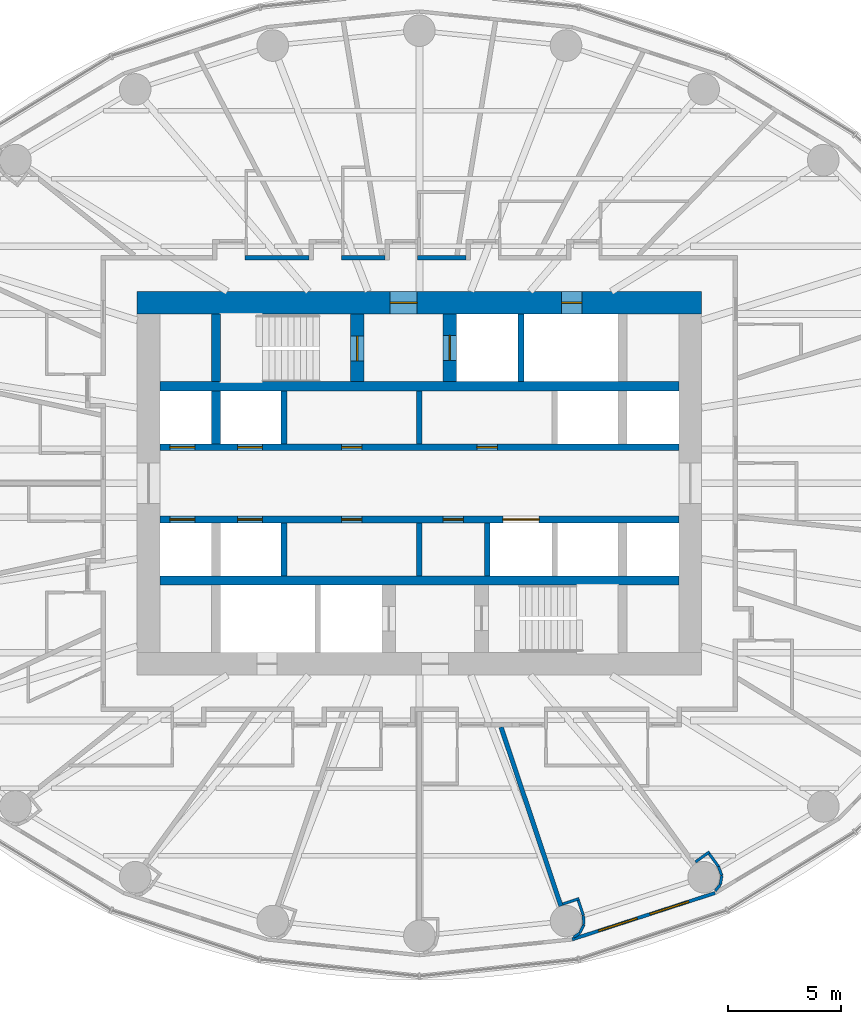
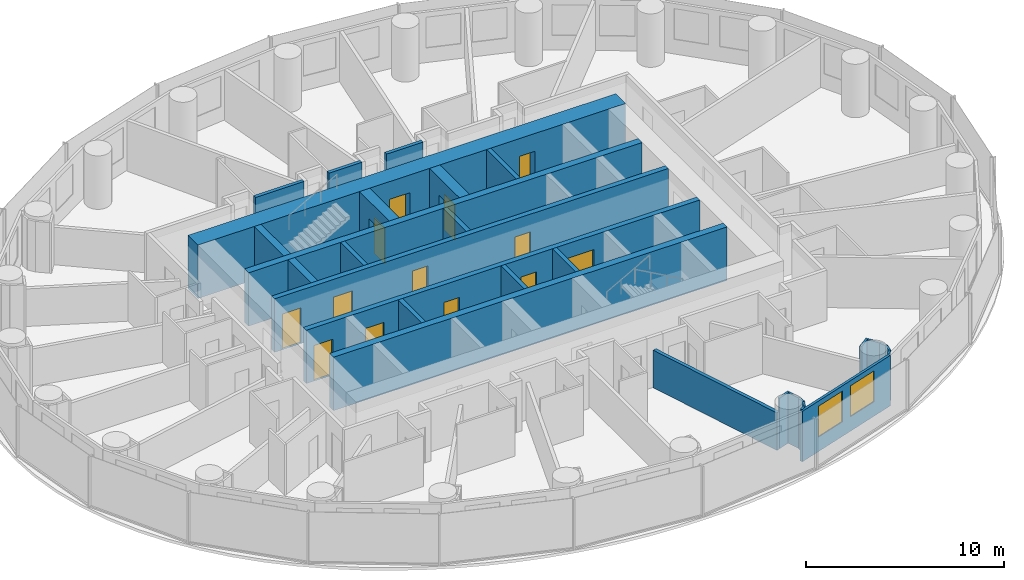
# One storey, part 9 of 14: 30 walls, 13 doors, 2 windows, 15 openings.
"""IFC4 building model written with IfcOpenShell, lengths in metres."""

from ifc_helpers import new_model, si_unit, direction, frame, frame_2d, origin, place, context, subcontext, project, spatial, rectangle, extrude, material, layer, layer_set, type_object, element, fill, save


model = new_model("IFC4")

# Units and contexts
model_context = context("Model", 3, precision=1e-05, world=origin(), true_north=direction((0.0, 1.0)))
body_context = subcontext(model_context, "Body", "Model", "MODEL_VIEW")
ifc_project = project(units=[si_unit("LENGTHUNIT", "METRE"), si_unit("AREAUNIT", "SQUARE_METRE"), si_unit("VOLUMEUNIT", "CUBIC_METRE"), si_unit("PLANEANGLEUNIT", "RADIAN"), si_unit("MASSUNIT", "GRAM", prefix="KILO")], contexts=[model_context])

# Site, building, storey
site_placement = place(None, origin())
site = spatial("IfcSite", under=ifc_project, at=site_placement, CompositionType="ELEMENT")
building_placement = place(site_placement, origin())
building = spatial("IfcBuilding", under=site, at=building_placement, Name="Hankou Lantern Tower", CompositionType="ELEMENT")
storey_placement = place(building_placement, frame((0.0, 0.0, 57.300048828125)))
storey = spatial("IfcBuildingStorey", under=building, at=storey_placement, Name="L13", CompositionType="ELEMENT", Elevation=57.300048828125)

# Wall, openings, doors
ifc_material_1 = material(Name="Concrete C60", Category="concrete")
ifc_layer_1 = layer(ifc_material_1, 1.0)
ifc_layer_set_1 = layer_set([ifc_layer_1], Name="Concrete C60")
wall_type_1 = type_object("IfcWallType", Name="CW1 CORE WALL 1000", PredefinedType="SHEAR", material=ifc_layer_set_1)
wall_1_placement = place(storey_placement, frame((-12.5, 8.0, 0.0), z_axis=(0.0, 0.0, 1.0), x_axis=(1.0, 0.0, 0.0)))
wall_1 = element("IfcWall", 1, at=wall_1_placement, inside=storey, type_object=wall_type_1, Name="Core wall north L13", PredefinedType="SHEAR", context=body_context, shape_type="SweptSolid", body=[
    extrude(rectangle(XDim=25.0, YDim=1.0, at=frame_2d((12.5, 0.0))), origin(), (0.0, 0.0, 1.0), 3.300048828125),
])
opening_1_placement = place(wall_1_placement, frame((11.199951171875, 0.0, 0.0)))
opening_1 = element("IfcOpeningElement", 2, at=opening_1_placement, cuts=wall_1, Name="Opening D5", PredefinedType="OPENING", context=body_context, shape_type="SweptSolid", body=[
    extrude(rectangle(XDim=1.199951171875, YDim=2.199951171875, at=frame_2d((0.60009765625, 1.10009765625))), frame((0.0, 0.510009765625, 0.0), z_axis=(0.0, -1.0, 0.0), x_axis=(1.0, 0.0, 0.0)), (0.0, 0.0, 1.0), 1.02001953125),
])
opening_2_placement = place(wall_1_placement, frame((18.800048828125, 0.0, 0.0)))
opening_2 = element("IfcOpeningElement", 3, at=opening_2_placement, cuts=wall_1, Name="Opening D7", PredefinedType="OPENING", context=body_context, shape_type="SweptSolid", body=[
    extrude(rectangle(XDim=0.89990234375, YDim=2.199951171875, at=frame_2d((0.449951171875, 1.10009765625))), frame((0.0, 0.510009765625, 0.0), z_axis=(0.0, -1.0, 0.0), x_axis=(1.0, 0.0, 0.0)), (0.0, 0.0, 1.0), 1.02001953125),
])
ifc_material_2 = material(Name="Steel door leaf", Category="steel")
door_type_1 = type_object("IfcDoorType", Name="D5 STAIR LOBBY DOOR 1200X2200", OperationType="SINGLE_SWING_LEFT", PredefinedType="DOOR", material=ifc_material_2)
door_1_placement = place(opening_1_placement, origin())
door_1 = element("IfcDoor", 4, at=door_1_placement, inside=storey, type_object=door_type_1, Name="Stair A lobby door", OperationType="SINGLE_SWING_LEFT", OverallHeight=2.199951171875, OverallWidth=1.199951171875, PredefinedType="DOOR", context=body_context, shape_type="SweptSolid", body=[
    extrude(rectangle(XDim=1.199951171875, YDim=2.199951171875, at=frame_2d((0.60009765625, 1.10009765625))), frame((0.0, 0.02490234375, 0.0), z_axis=(0.0, -1.0, 0.0), x_axis=(1.0, 0.0, 0.0)), (0.0, 0.0, 1.0), 0.050048828125),
])
fill(opening_1, door_1)
ifc_material_3 = material(Name="Steel door leaf", Category="steel")
door_type_2 = type_object("IfcDoorType", Name="D7 RISER DOOR 900X2200", OperationType="SINGLE_SWING_LEFT", PredefinedType="DOOR", material=ifc_material_3)
door_2_placement = place(opening_2_placement, origin())
door_2 = element("IfcDoor", 5, at=door_2_placement, inside=storey, type_object=door_type_2, Name="Riser N1 door", OperationType="SINGLE_SWING_RIGHT", OverallHeight=2.199951171875, OverallWidth=0.89990234375, PredefinedType="DOOR", context=body_context, shape_type="SweptSolid", body=[
    extrude(rectangle(XDim=0.89990234375, YDim=2.199951171875, at=frame_2d((0.449951171875, 1.10009765625))), frame((0.0, 0.02490234375, 0.0), z_axis=(0.0, -1.0, 0.0), x_axis=(1.0, 0.0, 0.0)), (0.0, 0.0, 1.0), 0.050048828125),
])
fill(opening_2, door_2)

# Walls
ifc_material_4 = material(Name="Concrete C60", Category="concrete")
ifc_layer_2 = layer(ifc_material_4, 0.39990234375)
ifc_layer_set_2 = layer_set([ifc_layer_2], Name="Concrete C60")
wall_type_2 = type_object("IfcWallType", Name="CW4 CORE CROSS WALL 400", PredefinedType="SHEAR", material=ifc_layer_set_2)
for number, where, z_axis, x_axis, name in (
    (6, (-11.5, 4.300048828125, 0.0), (0.0, 0.0, 1.0), (1.0, 0.0, 0.0), "Core band wall north L13"),
    (7, (-11.5, -4.300048828125, 0.0), (0.0, 0.0, 1.0), (1.0, 0.0, 0.0), "Core band wall south L13"),
):
    element("IfcWall", number, at=place(storey_placement, frame(where, z_axis=z_axis, x_axis=x_axis)), inside=storey, type_object=wall_type_2, Name=name, PredefinedType="SHEAR", context=body_context, shape_type="SweptSolid", body=[
        extrude(rectangle(XDim=23.0, YDim=0.39990234375, at=frame_2d((11.5, 0.0))), origin(), (0.0, 0.0, 1.0), 3.300048828125),
    ])
wall_2_placement = place(storey_placement, frame((-9.0, 4.5, 0.0), z_axis=(0.0, 0.0, 1.0), x_axis=(0.0, 1.0, 0.0)))
element("IfcWall", 8, at=wall_2_placement, inside=storey, type_object=wall_type_2, Name="Core strip wall L13", PredefinedType="SHEAR", context=body_context, shape_type="SweptSolid", body=[
    extrude(rectangle(XDim=3.0, YDim=0.39990234375, at=frame_2d((1.5, 0.0))), origin(), (0.0, 0.0, 1.0), 3.300048828125),
])
wall_3_placement = place(storey_placement, frame((-9.0, 1.75, 0.0), z_axis=(0.0, 0.0, 1.0), x_axis=(0.0, 1.0, 0.0)))
element("IfcWall", 9, at=wall_3_placement, inside=storey, type_object=wall_type_2, Name="Core strip wall L13", PredefinedType="SHEAR", context=body_context, shape_type="SweptSolid", body=[
    extrude(rectangle(XDim=2.35009765625, YDim=0.39990234375, at=frame_2d((1.175048828125, 0.0))), origin(), (0.0, 0.0, 1.0), 3.300048828125),
])

# Wall, openings, doors
ifc_material_5 = material(Name="Concrete C60", Category="concrete")
ifc_layer_3 = layer(ifc_material_5, 0.300048828125)
ifc_layer_set_3 = layer_set([ifc_layer_3], Name="Concrete C60")
wall_type_3 = type_object("IfcWallType", Name="CW5 LIFT LOBBY WALL 300", PredefinedType="SHEAR", material=ifc_layer_set_3)
wall_4_placement = place(storey_placement, frame((-11.5, 1.60009765625, 0.0), z_axis=(0.0, 0.0, 1.0), x_axis=(1.0, 0.0, 0.0)))
wall_4 = element("IfcWall", 10, at=wall_4_placement, inside=storey, type_object=wall_type_3, Name="Lift lobby wall north L13", PredefinedType="SHEAR", context=body_context, shape_type="SweptSolid", body=[
    extrude(rectangle(XDim=23.0, YDim=0.300048828125, at=frame_2d((11.5, 0.0))), origin(), (0.0, 0.0, 1.0), 3.300048828125),
])
opening_3_placement = place(wall_4_placement, frame((0.449951171875, 0.0, 0.0)))
opening_3 = element("IfcOpeningElement", 11, at=opening_3_placement, cuts=wall_4, Name="Opening LD1", PredefinedType="OPENING", context=body_context, shape_type="SweptSolid", body=[
    extrude(rectangle(XDim=1.10009765625, YDim=2.199951171875, at=frame_2d((0.550048828125, 1.10009765625))), frame((0.0, 0.159912109375, 0.0), z_axis=(0.0, -1.0, 0.0), x_axis=(1.0, 0.0, 0.0)), (0.0, 0.0, 1.0), 0.320068359375),
])
opening_4_placement = place(wall_4_placement, frame((3.449951171875, 0.0, 0.0)))
opening_4 = element("IfcOpeningElement", 12, at=opening_4_placement, cuts=wall_4, Name="Opening LD1", PredefinedType="OPENING", context=body_context, shape_type="SweptSolid", body=[
    extrude(rectangle(XDim=1.10009765625, YDim=2.199951171875, at=frame_2d((0.550048828125, 1.10009765625))), frame((0.0, 0.159912109375, 0.0), z_axis=(0.0, -1.0, 0.0), x_axis=(1.0, 0.0, 0.0)), (0.0, 0.0, 1.0), 0.320068359375),
])
opening_5_placement = place(wall_4_placement, frame((8.050048828125, 0.0, 0.0)))
opening_5 = element("IfcOpeningElement", 13, at=opening_5_placement, cuts=wall_4, Name="Opening D30", PredefinedType="OPENING", context=body_context, shape_type="SweptSolid", body=[
    extrude(rectangle(XDim=0.89990234375, YDim=2.199951171875, at=frame_2d((0.449951171875, 1.10009765625))), frame((0.0, 0.159912109375, 0.0), z_axis=(0.0, -1.0, 0.0), x_axis=(1.0, 0.0, 0.0)), (0.0, 0.0, 1.0), 0.320068359375),
])
opening_6_placement = place(wall_4_placement, frame((14.050048828125, 0.0, 0.0)))
opening_6 = element("IfcOpeningElement", 14, at=opening_6_placement, cuts=wall_4, Name="Opening D30", PredefinedType="OPENING", context=body_context, shape_type="SweptSolid", body=[
    extrude(rectangle(XDim=0.89990234375, YDim=2.199951171875, at=frame_2d((0.449951171875, 1.10009765625))), frame((0.0, 0.159912109375, 0.0), z_axis=(0.0, -1.0, 0.0), x_axis=(1.0, 0.0, 0.0)), (0.0, 0.0, 1.0), 0.320068359375),
])
ifc_material_6 = material(Name="Steel door leaf", Category="steel")
door_type_3 = type_object("IfcDoorType", Name="D30 CORE ROOM DOOR 900X2200", OperationType="SINGLE_SWING_LEFT", PredefinedType="DOOR", material=ifc_material_6)
door_3_placement = place(opening_5_placement, origin())
door_3 = element("IfcDoor", 15, at=door_3_placement, inside=storey, type_object=door_type_3, Name="Cleaner's store door", OperationType="SINGLE_SWING_LEFT", OverallHeight=2.199951171875, OverallWidth=0.89990234375, PredefinedType="DOOR", context=body_context, shape_type="SweptSolid", body=[
    extrude(rectangle(XDim=0.89990234375, YDim=2.199951171875, at=frame_2d((0.449951171875, 1.10009765625))), frame((0.0, 0.02490234375, 0.0), z_axis=(0.0, -1.0, 0.0), x_axis=(1.0, 0.0, 0.0)), (0.0, 0.0, 1.0), 0.050048828125),
])
fill(opening_5, door_3)
door_4_placement = place(opening_6_placement, origin())
door_4 = element("IfcDoor", 16, at=door_4_placement, inside=storey, type_object=door_type_3, Name="Minibar store door", OperationType="SINGLE_SWING_RIGHT", OverallHeight=2.199951171875, OverallWidth=0.89990234375, PredefinedType="DOOR", context=body_context, shape_type="SweptSolid", body=[
    extrude(rectangle(XDim=0.89990234375, YDim=2.199951171875, at=frame_2d((0.449951171875, 1.10009765625))), frame((0.0, 0.02490234375, 0.0), z_axis=(0.0, -1.0, 0.0), x_axis=(1.0, 0.0, 0.0)), (0.0, 0.0, 1.0), 0.050048828125),
])
fill(opening_6, door_4)
ifc_material_7 = material(Name="Steel door leaf", Category="steel")
door_type_4 = type_object("IfcDoorType", Name="LD1 LIFT LANDING DOOR 1100X2200", OperationType="DOUBLE_DOOR_SLIDING", PredefinedType="DOOR", material=ifc_material_7)
door_5_placement = place(opening_3_placement, origin())
door_5 = element("IfcDoor", 17, at=door_5_placement, inside=storey, type_object=door_type_4, Name="Lift L1 landing door", OperationType="DOUBLE_DOOR_SLIDING", OverallHeight=2.199951171875, OverallWidth=1.10009765625, PredefinedType="DOOR", context=body_context, shape_type="SweptSolid", body=[
    extrude(rectangle(XDim=1.10009765625, YDim=2.199951171875, at=frame_2d((0.550048828125, 1.10009765625))), frame((0.0, 0.02490234375, 0.0), z_axis=(0.0, -1.0, 0.0), x_axis=(1.0, 0.0, 0.0)), (0.0, 0.0, 1.0), 0.050048828125),
])
fill(opening_3, door_5)
door_6_placement = place(opening_4_placement, origin())
door_6 = element("IfcDoor", 18, at=door_6_placement, inside=storey, type_object=door_type_4, Name="Lift L2 landing door", OperationType="DOUBLE_DOOR_SLIDING", OverallHeight=2.199951171875, OverallWidth=1.10009765625, PredefinedType="DOOR", context=body_context, shape_type="SweptSolid", body=[
    extrude(rectangle(XDim=1.10009765625, YDim=2.199951171875, at=frame_2d((0.550048828125, 1.10009765625))), frame((0.0, 0.02490234375, 0.0), z_axis=(0.0, -1.0, 0.0), x_axis=(1.0, 0.0, 0.0)), (0.0, 0.0, 1.0), 0.050048828125),
])
fill(opening_4, door_6)

wall_5_placement = place(storey_placement, frame((-11.5, -1.60009765625, 0.0), z_axis=(0.0, 0.0, 1.0), x_axis=(1.0, 0.0, 0.0)))
wall_5 = element("IfcWall", 19, at=wall_5_placement, inside=storey, type_object=wall_type_3, Name="Lift lobby wall south L13", PredefinedType="SHEAR", context=body_context, shape_type="SweptSolid", body=[
    extrude(rectangle(XDim=23.0, YDim=0.300048828125, at=frame_2d((11.5, 0.0))), origin(), (0.0, 0.0, 1.0), 3.300048828125),
])
opening_7_placement = place(wall_5_placement, frame((0.449951171875, 0.0, 0.0)))
opening_7 = element("IfcOpeningElement", 20, at=opening_7_placement, cuts=wall_5, Name="Opening LD1", PredefinedType="OPENING", context=body_context, shape_type="SweptSolid", body=[
    extrude(rectangle(XDim=1.10009765625, YDim=2.199951171875, at=frame_2d((0.550048828125, 1.10009765625))), frame((0.0, 0.159912109375, 0.0), z_axis=(0.0, -1.0, 0.0), x_axis=(1.0, 0.0, 0.0)), (0.0, 0.0, 1.0), 0.320068359375),
])
opening_8_placement = place(wall_5_placement, frame((3.449951171875, 0.0, 0.0)))
opening_8 = element("IfcOpeningElement", 21, at=opening_8_placement, cuts=wall_5, Name="Opening LD1", PredefinedType="OPENING", context=body_context, shape_type="SweptSolid", body=[
    extrude(rectangle(XDim=1.10009765625, YDim=2.199951171875, at=frame_2d((0.550048828125, 1.10009765625))), frame((0.0, 0.159912109375, 0.0), z_axis=(0.0, -1.0, 0.0), x_axis=(1.0, 0.0, 0.0)), (0.0, 0.0, 1.0), 0.320068359375),
])
opening_9_placement = place(wall_5_placement, frame((15.199951171875, 0.0, 0.0)))
opening_9 = element("IfcOpeningElement", 22, at=opening_9_placement, cuts=wall_5, Name="Opening LD4", PredefinedType="OPENING", context=body_context, shape_type="SweptSolid", body=[
    extrude(rectangle(XDim=1.60009765625, YDim=2.39990234375, at=frame_2d((0.800048828125, 1.199951171875))), frame((0.0, 0.159912109375, 0.0), z_axis=(0.0, -1.0, 0.0), x_axis=(1.0, 0.0, 0.0)), (0.0, 0.0, 1.0), 0.320068359375),
])
opening_10_placement = place(wall_5_placement, frame((8.050048828125, 0.0, 0.0)))
opening_10 = element("IfcOpeningElement", 23, at=opening_10_placement, cuts=wall_5, Name="Opening D30", PredefinedType="OPENING", context=body_context, shape_type="SweptSolid", body=[
    extrude(rectangle(XDim=0.89990234375, YDim=2.199951171875, at=frame_2d((0.449951171875, 1.10009765625))), frame((0.0, 0.159912109375, 0.0), z_axis=(0.0, -1.0, 0.0), x_axis=(1.0, 0.0, 0.0)), (0.0, 0.0, 1.0), 0.320068359375),
])
opening_11_placement = place(wall_5_placement, frame((12.550048828125, 0.0, 0.0)))
opening_11 = element("IfcOpeningElement", 24, at=opening_11_placement, cuts=wall_5, Name="Opening D30", PredefinedType="OPENING", context=body_context, shape_type="SweptSolid", body=[
    extrude(rectangle(XDim=0.89990234375, YDim=2.199951171875, at=frame_2d((0.449951171875, 1.10009765625))), frame((0.0, 0.159912109375, 0.0), z_axis=(0.0, -1.0, 0.0), x_axis=(1.0, 0.0, 0.0)), (0.0, 0.0, 1.0), 0.320068359375),
])
door_7_placement = place(opening_10_placement, origin())
door_7 = element("IfcDoor", 25, at=door_7_placement, inside=storey, type_object=door_type_3, Name="Housekeeping and linen store door", OperationType="SINGLE_SWING_LEFT", OverallHeight=2.199951171875, OverallWidth=0.89990234375, PredefinedType="DOOR", context=body_context, shape_type="SweptSolid", body=[
    extrude(rectangle(XDim=0.89990234375, YDim=2.199951171875, at=frame_2d((0.449951171875, 1.10009765625))), frame((0.0, 0.02490234375, 0.0), z_axis=(0.0, -1.0, 0.0), x_axis=(1.0, 0.0, 0.0)), (0.0, 0.0, 1.0), 0.050048828125),
])
fill(opening_10, door_7)
door_8_placement = place(opening_11_placement, origin())
door_8 = element("IfcDoor", 26, at=door_8_placement, inside=storey, type_object=door_type_3, Name="Waste and recycling room door", OperationType="SINGLE_SWING_RIGHT", OverallHeight=2.199951171875, OverallWidth=0.89990234375, PredefinedType="DOOR", context=body_context, shape_type="SweptSolid", body=[
    extrude(rectangle(XDim=0.89990234375, YDim=2.199951171875, at=frame_2d((0.449951171875, 1.10009765625))), frame((0.0, 0.02490234375, 0.0), z_axis=(0.0, -1.0, 0.0), x_axis=(1.0, 0.0, 0.0)), (0.0, 0.0, 1.0), 0.050048828125),
])
fill(opening_11, door_8)
door_9_placement = place(opening_7_placement, origin())
door_9 = element("IfcDoor", 27, at=door_9_placement, inside=storey, type_object=door_type_4, Name="Lift L3 landing door", OperationType="DOUBLE_DOOR_SLIDING", OverallHeight=2.199951171875, OverallWidth=1.10009765625, PredefinedType="DOOR", context=body_context, shape_type="SweptSolid", body=[
    extrude(rectangle(XDim=1.10009765625, YDim=2.199951171875, at=frame_2d((0.550048828125, 1.10009765625))), frame((0.0, 0.02490234375, 0.0), z_axis=(0.0, -1.0, 0.0), x_axis=(1.0, 0.0, 0.0)), (0.0, 0.0, 1.0), 0.050048828125),
])
fill(opening_7, door_9)
door_10_placement = place(opening_8_placement, origin())
door_10 = element("IfcDoor", 28, at=door_10_placement, inside=storey, type_object=door_type_4, Name="Lift L4 landing door", OperationType="DOUBLE_DOOR_SLIDING", OverallHeight=2.199951171875, OverallWidth=1.10009765625, PredefinedType="DOOR", context=body_context, shape_type="SweptSolid", body=[
    extrude(rectangle(XDim=1.10009765625, YDim=2.199951171875, at=frame_2d((0.550048828125, 1.10009765625))), frame((0.0, 0.02490234375, 0.0), z_axis=(0.0, -1.0, 0.0), x_axis=(1.0, 0.0, 0.0)), (0.0, 0.0, 1.0), 0.050048828125),
])
fill(opening_8, door_10)
ifc_material_8 = material(Name="Steel door leaf", Category="steel")
door_type_5 = type_object("IfcDoorType", Name="LD4 SERVICE LIFT LANDING DOOR 1600X2400", OperationType="DOUBLE_DOOR_SLIDING", PredefinedType="DOOR", material=ifc_material_8)
door_11_placement = place(opening_9_placement, origin())
door_11 = element("IfcDoor", 29, at=door_11_placement, inside=storey, type_object=door_type_5, Name="Lift SV1 landing door", OperationType="DOUBLE_DOOR_SLIDING", OverallHeight=2.39990234375, OverallWidth=1.60009765625, PredefinedType="DOOR", context=body_context, shape_type="SweptSolid", body=[
    extrude(rectangle(XDim=1.60009765625, YDim=2.39990234375, at=frame_2d((0.800048828125, 1.199951171875))), frame((0.0, 0.02490234375, 0.0), z_axis=(0.0, -1.0, 0.0), x_axis=(1.0, 0.0, 0.0)), (0.0, 0.0, 1.0), 0.050048828125),
])
fill(opening_9, door_11)

# Wall, opening, door
ifc_material_9 = material(Name="Concrete C60", Category="concrete")
ifc_layer_4 = layer(ifc_material_9, 0.60009765625)
ifc_layer_set_4 = layer_set([ifc_layer_4], Name="Concrete C60")
wall_type_4 = type_object("IfcWallType", Name="CW6 STAIR AND SHAFT WALL 600", PredefinedType="SHEAR", material=ifc_layer_set_4)
wall_6_placement = place(storey_placement, frame((-2.75, 4.5, 0.0), z_axis=(0.0, 0.0, 1.0), x_axis=(0.0, 1.0, 0.0)))
wall_6 = element("IfcWall", 30, at=wall_6_placement, inside=storey, type_object=wall_type_4, Name="Stair wall L13", PredefinedType="SHEAR", context=body_context, shape_type="SweptSolid", body=[
    extrude(rectangle(XDim=3.0, YDim=0.60009765625, at=frame_2d((1.5, 0.0))), origin(), (0.0, 0.0, 1.0), 3.300048828125),
])
opening_12_placement = place(wall_6_placement, frame((0.925048828125, 0.0, 0.0)))
opening_12 = element("IfcOpeningElement", 31, at=opening_12_placement, cuts=wall_6, Name="Opening D4", PredefinedType="OPENING", context=body_context, shape_type="SweptSolid", body=[
    extrude(rectangle(XDim=1.10009765625, YDim=2.199951171875, at=frame_2d((0.550048828125, 1.10009765625))), frame((0.0, 0.31005859375, 0.0), z_axis=(0.0, -1.0, 0.0), x_axis=(1.0, 0.0, 0.0)), (0.0, 0.0, 1.0), 0.6201171875),
])
ifc_material_10 = material(Name="Steel door leaf", Category="steel")
door_type_6 = type_object("IfcDoorType", Name="D4 STAIR DOOR 1100X2200", OperationType="SINGLE_SWING_LEFT", PredefinedType="DOOR", material=ifc_material_10)
door_12_placement = place(opening_12_placement, origin())
door_12 = element("IfcDoor", 32, at=door_12_placement, inside=storey, type_object=door_type_6, Name="Stair A door", OperationType="SINGLE_SWING_LEFT", OverallHeight=2.199951171875, OverallWidth=1.10009765625, PredefinedType="DOOR", context=body_context, shape_type="SweptSolid", body=[
    extrude(rectangle(XDim=1.10009765625, YDim=2.199951171875, at=frame_2d((0.550048828125, 1.10009765625))), frame((0.0, 0.02490234375, 0.0), z_axis=(0.0, -1.0, 0.0), x_axis=(1.0, 0.0, 0.0)), (0.0, 0.0, 1.0), 0.050048828125),
])
fill(opening_12, door_12)

wall_7_placement = place(storey_placement, frame((1.35009765625, 4.5, 0.0), z_axis=(0.0, 0.0, 1.0), x_axis=(0.0, 1.0, 0.0)))
wall_7 = element("IfcWall", 33, at=wall_7_placement, inside=storey, type_object=wall_type_4, Name="Firefighting lift shaft wall L13", PredefinedType="SHEAR", context=body_context, shape_type="SweptSolid", body=[
    extrude(rectangle(XDim=3.0, YDim=0.60009765625, at=frame_2d((1.5, 0.0))), origin(), (0.0, 0.0, 1.0), 3.300048828125),
])
opening_13_placement = place(wall_7_placement, frame((0.949951171875, 0.0, 0.0)))
opening_13 = element("IfcOpeningElement", 34, at=opening_13_placement, cuts=wall_7, Name="Opening LD2", PredefinedType="OPENING", context=body_context, shape_type="SweptSolid", body=[
    extrude(rectangle(XDim=1.10009765625, YDim=2.199951171875, at=frame_2d((0.550048828125, 1.10009765625))), frame((0.0, 0.31005859375, 0.0), z_axis=(0.0, -1.0, 0.0), x_axis=(1.0, 0.0, 0.0)), (0.0, 0.0, 1.0), 0.6201171875),
])
ifc_material_11 = material(Name="Steel door leaf", Category="steel")
door_type_7 = type_object("IfcDoorType", Name="LD2 FIREFIGHTING LIFT LANDING DOOR 1100X2200", OperationType="DOUBLE_DOOR_SLIDING", PredefinedType="DOOR", material=ifc_material_11)
door_13_placement = place(opening_13_placement, origin())
door_13 = element("IfcDoor", 35, at=door_13_placement, inside=storey, type_object=door_type_7, Name="Firefighting lift FL1 landing door", OperationType="DOUBLE_DOOR_SLIDING", OverallHeight=2.199951171875, OverallWidth=1.10009765625, PredefinedType="DOOR", context=body_context, shape_type="SweptSolid", body=[
    extrude(rectangle(XDim=1.10009765625, YDim=2.199951171875, at=frame_2d((0.550048828125, 1.10009765625))), frame((0.0, 0.02490234375, 0.0), z_axis=(0.0, -1.0, 0.0), x_axis=(1.0, 0.0, 0.0)), (0.0, 0.0, 1.0), 0.050048828125),
])
fill(opening_13, door_13)

# Wall, openings, windows
ifc_material_12 = material(Name="Aluminium spandrel panel on steel studs", Category="steel")
ifc_layer_5 = layer(ifc_material_12, 0.14990234375)
ifc_layer_set_5 = layer_set([ifc_layer_5], Name="Aluminium spandrel panel on steel studs")
wall_type_5 = type_object("IfcWallType", Name="EW1 INNER SKIN WALL 150", PredefinedType="ELEMENTEDWALL", material=ifc_layer_set_5)
wall_8_placement = place(storey_placement, frame((6.766357421875, -20.201904296875, 0.0), z_axis=(0.0, 0.0, 1.0), x_axis=(0.951137534625, 0.308767534285, 0.0)))
wall_8 = element("IfcWall", 36, at=wall_8_placement, inside=storey, type_object=wall_type_5, Name="Inner skin R20-R21 L13", PredefinedType="ELEMENTEDWALL", context=body_context, shape_type="SweptSolid", body=[
    extrude(rectangle(XDim=6.6552734375, YDim=0.14990234375, at=frame_2d((3.32763671875, 0.0))), origin(), (0.0, 0.0, 1.0), 3.119873046875),
])
opening_14_placement = place(wall_8_placement, frame((1.2275390625, 0.0, 0.89990234375)))
opening_14 = element("IfcOpeningElement", 37, at=opening_14_placement, cuts=wall_8, Name="Opening W1", PredefinedType="OPENING", context=body_context, shape_type="SweptSolid", body=[
    extrude(rectangle(XDim=1.800048828125, YDim=1.89990234375, at=frame_2d((0.89990234375, 0.949951171875))), frame((0.0, 0.0849609375, 0.0), z_axis=(0.0, -1.0, 0.0), x_axis=(1.0, 0.0, 0.0)), (0.0, 0.0, 1.0), 0.169921875),
])
opening_15_placement = place(wall_8_placement, frame((3.627685546875, 0.0, 0.89990234375)))
opening_15 = element("IfcOpeningElement", 38, at=opening_15_placement, cuts=wall_8, Name="Opening W1", PredefinedType="OPENING", context=body_context, shape_type="SweptSolid", body=[
    extrude(rectangle(XDim=1.800048828125, YDim=1.89990234375, at=frame_2d((0.89990234375, 0.949951171875))), frame((0.0, 0.0849609375, 0.0), z_axis=(0.0, -1.0, 0.0), x_axis=(1.0, 0.0, 0.0)), (0.0, 0.0, 1.0), 0.169921875),
])
ifc_material_13 = material(Name="Aluminium framed double glazed window", Category="aluminium")
window_type = type_object("IfcWindowType", Name="W1 GUEST ROOM WINDOW 1800X1900", PartitioningType="DOUBLE_PANEL_VERTICAL", PredefinedType="WINDOW", material=ifc_material_13)
window_1_placement = place(opening_14_placement, origin())
window_1 = element("IfcWindow", 39, at=window_1_placement, inside=storey, type_object=window_type, Name="Window R20.1 L13", OverallHeight=1.89990234375, OverallWidth=1.800048828125, PartitioningType="SINGLE_PANEL", PredefinedType="WINDOW", context=body_context, shape_type="SweptSolid", body=[
    extrude(rectangle(XDim=1.800048828125, YDim=1.89990234375, at=frame_2d((0.89990234375, 0.949951171875))), frame((0.0, 0.030029296875, 0.0), z_axis=(0.0, -1.0, 0.0), x_axis=(1.0, 0.0, 0.0)), (0.0, 0.0, 1.0), 0.06005859375),
])
fill(opening_14, window_1)
window_2_placement = place(opening_15_placement, origin())
window_2 = element("IfcWindow", 40, at=window_2_placement, inside=storey, type_object=window_type, Name="Window R20.2 L13", OverallHeight=1.89990234375, OverallWidth=1.800048828125, PartitioningType="SINGLE_PANEL", PredefinedType="WINDOW", context=body_context, shape_type="SweptSolid", body=[
    extrude(rectangle(XDim=1.800048828125, YDim=1.89990234375, at=frame_2d((0.89990234375, 0.949951171875))), frame((0.0, 0.030029296875, 0.0), z_axis=(0.0, -1.0, 0.0), x_axis=(1.0, 0.0, 0.0)), (0.0, 0.0, 1.0), 0.06005859375),
])
fill(opening_15, window_2)

# Walls
ifc_material_14 = material(Name="Masonry lightweight concrete block", Category="masonry")
ifc_layer_6 = layer(ifc_material_14, 0.199951171875)
ifc_layer_set_6 = layer_set([ifc_layer_6], Name="Masonry lightweight concrete block")
wall_type_6 = type_object("IfcWallType", Name="IW1 GUEST ROOM PARTY WALL 200", PredefinedType="PARTITIONING", material=ifc_layer_set_6)
wall_9_placement = place(storey_placement, frame((3.617431640625, -10.800048828125, 0.0), z_axis=(0.0, 0.0, 1.0), x_axis=(0.317576599239, -0.948232621046, 0.0)))
element("IfcWall", 41, at=wall_9_placement, inside=storey, type_object=wall_type_6, Name="Party wall R20", PredefinedType="PARTITIONING", context=body_context, shape_type="SweptSolid", body=[
    extrude(rectangle(XDim=8.3603515625, YDim=0.199951171875, at=frame_2d((4.18017578125, 0.0))), origin(), (0.0, 0.0, 1.0), 2.320068359375),
])
ifc_material_15 = material(Name="Masonry lightweight concrete block", Category="masonry")
ifc_layer_7 = layer(ifc_material_15, 0.199951171875)
ifc_layer_set_7 = layer_set([ifc_layer_7], Name="Masonry lightweight concrete block")
wall_type_7 = type_object("IfcWallType", Name="IW2 CORRIDOR WALL 200", PredefinedType="PARTITIONING", material=ifc_layer_set_7)
wall_10_placement = place(storey_placement, frame((-7.728515625, 10.0, 0.0), z_axis=(0.0, 0.0, 1.0), x_axis=(1.0, 0.0, 0.0)))
element("IfcWall", 42, at=wall_10_placement, inside=storey, type_object=wall_type_7, Name="Corridor wall north", PredefinedType="PARTITIONING", context=body_context, shape_type="SweptSolid", body=[
    extrude(rectangle(XDim=2.83349609375, YDim=0.199951171875, at=frame_2d((1.416748046875, 0.0))), origin(), (0.0, 0.0, 1.0), 3.119873046875),
])
wall_11_placement = place(storey_placement, frame((-3.455078125, 10.0, 0.0), z_axis=(0.0, 0.0, 1.0), x_axis=(1.0, 0.0, 0.0)))
element("IfcWall", 43, at=wall_11_placement, inside=storey, type_object=wall_type_7, Name="Corridor wall north", PredefinedType="PARTITIONING", context=body_context, shape_type="SweptSolid", body=[
    extrude(rectangle(XDim=1.93994140625, YDim=0.199951171875, at=frame_2d((0.969970703125, 0.0))), origin(), (0.0, 0.0, 1.0), 3.119873046875),
])
wall_12_placement = place(storey_placement, frame((-0.074951171875, 10.0, 0.0), z_axis=(0.0, 0.0, 1.0), x_axis=(1.0, 0.0, 0.0)))
element("IfcWall", 44, at=wall_12_placement, inside=storey, type_object=wall_type_7, Name="Corridor wall north", PredefinedType="PARTITIONING", context=body_context, shape_type="SweptSolid", body=[
    extrude(rectangle(XDim=2.133544921875, YDim=0.199951171875, at=frame_2d((1.06689453125, 0.0))), origin(), (0.0, 0.0, 1.0), 3.119873046875),
])
ifc_material_16 = material(Name="Masonry lightweight concrete block", Category="masonry")
ifc_layer_8 = layer(ifc_material_16, 0.1201171875)
ifc_layer_set_8 = layer_set([ifc_layer_8], Name="Masonry lightweight concrete block")
wall_type_8 = type_object("IfcWallType", Name="IW4 PARTITION 120", PredefinedType="PARTITIONING", material=ifc_layer_set_8)
wall_13_placement = place(storey_placement, frame((6.348388671875, -18.638916015625, 0.0), z_axis=(0.0, 0.0, 1.0), x_axis=(0.948268951266, 0.317468102437, 0.0)))
element("IfcWall", 45, at=wall_13_placement, inside=storey, type_object=wall_type_8, Name="Column casing R20 return", PredefinedType="PARTITIONING", context=body_context, shape_type="SweptSolid", body=[
    extrude(rectangle(XDim=0.767578125, YDim=0.1201171875, at=frame_2d((0.3837890625, 0.0))), origin(), (0.0, 0.0, 1.0), 3.119873046875),
])
wall_14_placement = place(storey_placement, frame((7.038330078125, -18.47119140625, 0.0), z_axis=(0.0, 0.0, 1.0), x_axis=(0.317378466199, -0.9482989556, 0.0)))
element("IfcWall", 46, at=wall_14_placement, inside=storey, type_object=wall_type_8, Name="Column casing R20", PredefinedType="PARTITIONING", context=body_context, shape_type="SweptSolid", body=[
    extrude(rectangle(XDim=0.699951171875, YDim=0.1201171875, at=frame_2d((0.35009765625, 0.0))), origin(), (0.0, 0.0, 1.0), 3.119873046875),
])
wall_15_placement = place(storey_placement, frame((7.260498046875, -19.135009765625, 0.0), z_axis=(0.0, 0.0, 1.0), x_axis=(0.0613238046, -0.99811792439, 0.0)))
element("IfcWall", 47, at=wall_15_placement, inside=storey, type_object=wall_type_8, Name="Column casing R20", PredefinedType="PARTITIONING", context=body_context, shape_type="SweptSolid", body=[
    extrude(rectangle(XDim=0.41796875, YDim=0.1201171875, at=frame_2d((0.208984375, 0.0))), origin(), (0.0, 0.0, 1.0), 3.119873046875),
])
wall_16_placement = place(storey_placement, frame((7.2861328125, -19.55224609375, 0.0), z_axis=(0.0, 0.0, 1.0), x_axis=(-0.445810757773, -0.89512723579, 0.0)))
element("IfcWall", 48, at=wall_16_placement, inside=storey, type_object=wall_type_8, Name="Column casing R20", PredefinedType="PARTITIONING", context=body_context, shape_type="SweptSolid", body=[
    extrude(rectangle(XDim=0.417724609375, YDim=0.1201171875, at=frame_2d((0.208984375, 0.0))), origin(), (0.0, 0.0, 1.0), 3.119873046875),
])
wall_17_placement = place(storey_placement, frame((7.099853515625, -19.92626953125, 0.0), z_axis=(0.0, 0.0, 1.0), x_axis=(-0.833488262509, -0.552537162787, 0.0)))
element("IfcWall", 49, at=wall_17_placement, inside=storey, type_object=wall_type_8, Name="Column casing R20", PredefinedType="PARTITIONING", context=body_context, shape_type="SweptSolid", body=[
    extrude(rectangle(XDim=0.312744140625, YDim=0.1201171875, at=frame_2d((0.15625, 0.0))), origin(), (0.0, 0.0, 1.0), 3.119873046875),
])
wall_18_placement = place(storey_placement, frame((12.227294921875, -16.771728515625, 0.0), z_axis=(0.0, 0.0, 1.0), x_axis=(0.810821798253, 0.585293098778, 0.0)))
element("IfcWall", 50, at=wall_18_placement, inside=storey, type_object=wall_type_8, Name="Column casing R21 return", PredefinedType="PARTITIONING", context=body_context, shape_type="SweptSolid", body=[
    extrude(rectangle(XDim=0.767578125, YDim=0.1201171875, at=frame_2d((0.3837890625, 0.0))), origin(), (0.0, 0.0, 1.0), 3.119873046875),
])
wall_19_placement = place(storey_placement, frame((12.8359375, -16.40625, 0.0), z_axis=(0.0, 0.0, 1.0), x_axis=(0.585223113993, -0.810872312296, 0.0)))
element("IfcWall", 51, at=wall_19_placement, inside=storey, type_object=wall_type_8, Name="Column casing R21", PredefinedType="PARTITIONING", context=body_context, shape_type="SweptSolid", body=[
    extrude(rectangle(XDim=0.699951171875, YDim=0.1201171875, at=frame_2d((0.35009765625, 0.0))), origin(), (0.0, 0.0, 1.0), 3.119873046875),
])
wall_20_placement = place(storey_placement, frame((13.24560546875, -16.973876953125, 0.0), z_axis=(0.0, 0.0, 1.0), x_axis=(0.355728122235, -0.934589483705, 0.0)))
element("IfcWall", 52, at=wall_20_placement, inside=storey, type_object=wall_type_8, Name="Column casing R21", PredefinedType="PARTITIONING", context=body_context, shape_type="SweptSolid", body=[
    extrude(rectangle(XDim=0.41796875, YDim=0.1201171875, at=frame_2d((0.208984375, 0.0))), origin(), (0.0, 0.0, 1.0), 3.119873046875),
])
wall_21_placement = place(storey_placement, frame((13.394287109375, -17.364501953125, 0.0), z_axis=(0.0, 0.0, 1.0), x_axis=(-0.159379276926, -0.987217425943, 0.0)))
element("IfcWall", 53, at=wall_21_placement, inside=storey, type_object=wall_type_8, Name="Column casing R21", PredefinedType="PARTITIONING", context=body_context, shape_type="SweptSolid", body=[
    extrude(rectangle(XDim=0.418212890625, YDim=0.1201171875, at=frame_2d((0.208984375, 0.0))), origin(), (0.0, 0.0, 1.0), 3.119873046875),
])
wall_22_placement = place(storey_placement, frame((13.32763671875, -17.77734375, 0.0), z_axis=(0.0, 0.0, 1.0), x_axis=(-0.632276783541, -0.774742582407, 0.0)))
element("IfcWall", 54, at=wall_22_placement, inside=storey, type_object=wall_type_8, Name="Column casing R21", PredefinedType="PARTITIONING", context=body_context, shape_type="SweptSolid", body=[
    extrude(rectangle(XDim=0.35986328125, YDim=0.1201171875, at=frame_2d((0.179931640625, 0.0))), origin(), (0.0, 0.0, 1.0), 3.119873046875),
])
ifc_material_17 = material(Name="Masonry autoclaved aerated concrete block", Category="masonry")
ifc_layer_9 = layer(ifc_material_17, 0.25)
ifc_layer_set_9 = layer_set([ifc_layer_9], Name="Masonry autoclaved aerated concrete block")
wall_type_9 = type_object("IfcWallType", Name="SW1 SHAFT BLOCK WALL 250", PredefinedType="PARTITIONING", material=ifc_layer_set_9)
wall_23_placement = place(storey_placement, frame((4.5, 4.5, 0.0), z_axis=(0.0, 0.0, 1.0), x_axis=(0.0, 1.0, 0.0)))
element("IfcWall", 55, at=wall_23_placement, inside=storey, type_object=wall_type_9, Name="Riser wall L13", PredefinedType="PARTITIONING", context=body_context, shape_type="SweptSolid", body=[
    extrude(rectangle(XDim=3.0, YDim=0.25, at=frame_2d((1.5, 0.0))), origin(), (0.0, 0.0, 1.0), 3.300048828125),
])
for number, where, z_axis, x_axis, name in (
    (56, (-6.0, 1.75, 0.0), (0.0, 0.0, 1.0), (0.0, 1.0, 0.0), "Lift shaft wall L13"),
    (57, (0.0, 1.75, 0.0), (0.0, 0.0, 1.0), (0.0, 1.0, 0.0), "Lift shaft wall L13"),
    (58, (-6.0, -4.10009765625, 0.0), (0.0, 0.0, 1.0), (0.0, 1.0, 0.0), "Lift shaft wall L13"),
    (59, (0.0, -4.10009765625, 0.0), (0.0, 0.0, 1.0), (0.0, 1.0, 0.0), "Lift shaft wall L13"),
    (60, (3.0, -4.10009765625, 0.0), (0.0, 0.0, 1.0), (0.0, 1.0, 0.0), "Lift shaft wall L13"),
):
    element("IfcWall", number, at=place(storey_placement, frame(where, z_axis=z_axis, x_axis=x_axis)), inside=storey, type_object=wall_type_9, Name=name, PredefinedType="PARTITIONING", context=body_context, shape_type="SweptSolid", body=[
        extrude(rectangle(XDim=2.35009765625, YDim=0.25, at=frame_2d((1.175048828125, 0.0))), origin(), (0.0, 0.0, 1.0), 3.300048828125),
    ])

save(model, "model.ifc")
